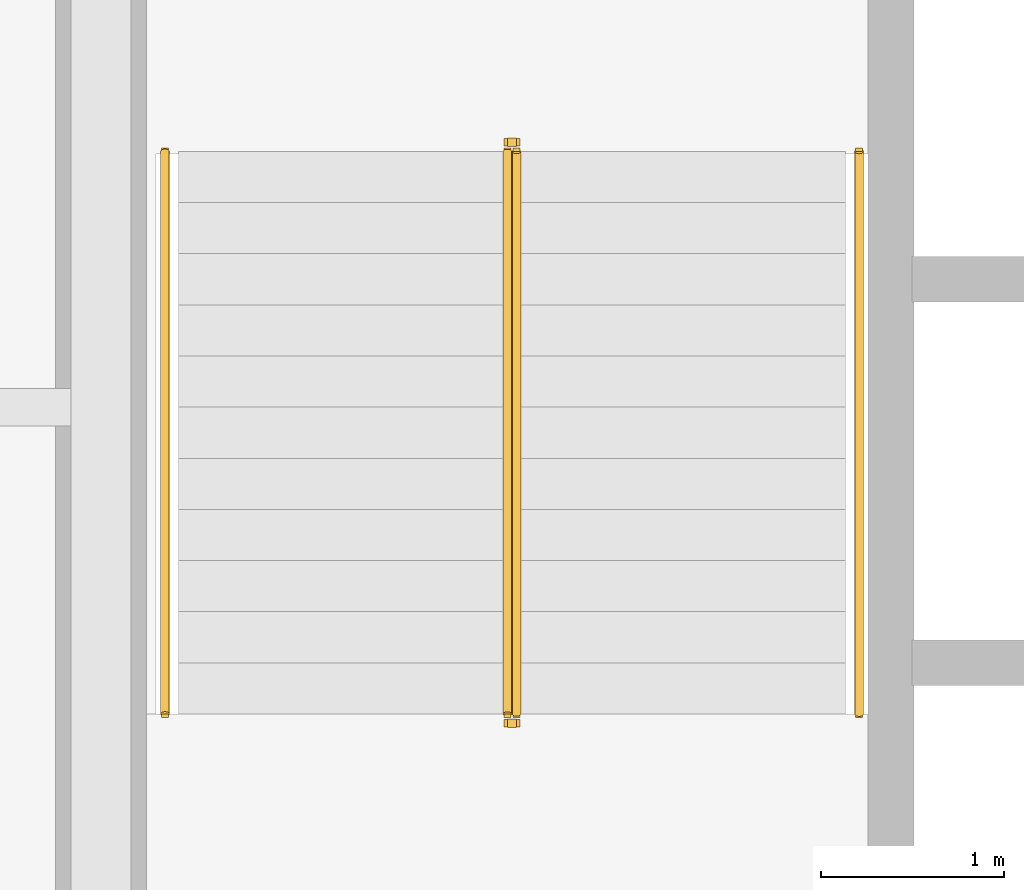
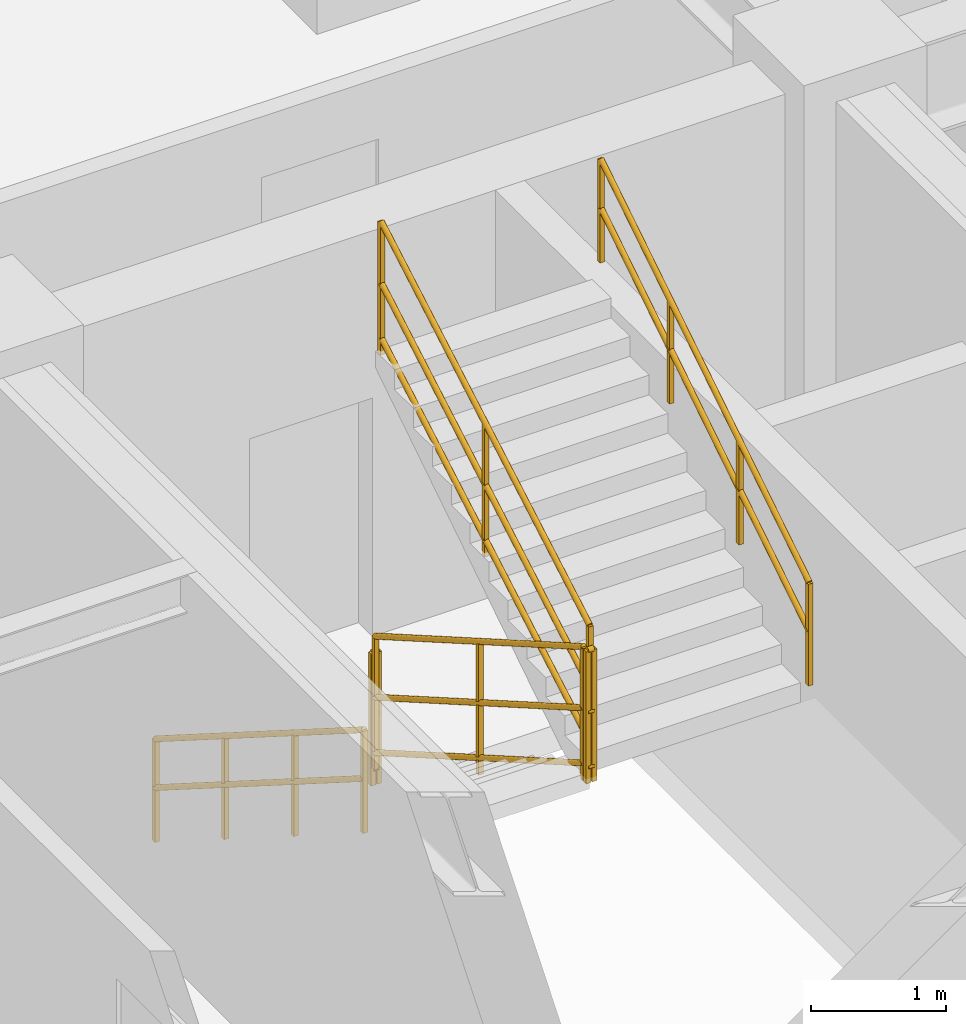
# One storey, part 9 of 9: 6 railings.
"""IFC4 building model written with IfcOpenShell, lengths in metres."""

import ifcopenshell
import ifcopenshell.guid

model = None  # the IFC model being written
_history = None  # IfcOwnerHistory: only IFC2X3 demands one
_inside = {}  # id of a spatial element -> (the spatial element, [elements in it])
_under = {}  # id of a project, library or spatial element -> (it, [spatial elements below it])
_declared = {}  # id of a project -> (the project, [libraries it declares])
_typed = {}  # id of a type object -> (the type object, [elements of that type])
_made_of = {}  # id of a material, layer set ... -> (it, [elements and type objects made of it])


def new_model(schema):
    """Start an empty IFC model of exactly this schema.

    Asked for "IFC4X3", IfcOpenShell would pick the latest addendum, in which some entities
    have other attributes; the version numbers below select the first issue.
    IFC2X3 requires an IfcOwnerHistory on every rooted entity: one is made here for all.
    """
    global model, _history
    if schema == "IFC4X3":
        model = ifcopenshell.file(schema_version=(4, 3, 0, 0))
    else:
        model = ifcopenshell.file(schema=schema)
    _inside.clear()
    _under.clear()
    _declared.clear()
    _typed.clear()
    _made_of.clear()
    _history = None
    if model.schema == "IFC2X3":
        org = make("IfcOrganization", Name="unknown")
        user = make(
            "IfcPersonAndOrganization",
            ThePerson=make("IfcPerson", FamilyName="unknown"),
            TheOrganization=org,
        )
        app = make(
            "IfcApplication",
            ApplicationDeveloper=org,
            Version="unknown",
            ApplicationFullName="unknown",
            ApplicationIdentifier="unknown",
        )
        _history = make(
            "IfcOwnerHistory",
            OwningUser=user,
            OwningApplication=app,
            ChangeAction="ADDED",
            CreationDate=0,
        )
    return model


def make(cls, **values):
    """One entity of the class cls with the attributes given. An attribute that is None is left unset."""
    return model.create_entity(
        cls, **{name: value for name, value in values.items() if value is not None}
    )


def entity(cls, *values):
    """Any entity or typed value of the class cls, its attributes in the order of the schema. None: left unset."""
    e = model.create_entity(cls)
    for i, value in enumerate(values):
        if value is not None:
            e[i] = value
    return e


def rooted(cls, **values):
    """An entity with a GlobalId (a new one), such as an element, a storey or a relation."""
    return make(cls, GlobalId=ifcopenshell.guid.new(), OwnerHistory=_history, **values)


def si_unit(unit_type, name, prefix=None):
    """IfcSIUnit, for example si_unit("LENGTHUNIT", "METRE", prefix="MILLI")."""
    return make("IfcSIUnit", UnitType=unit_type, Prefix=prefix, Name=name)


def converted_unit(unit_type, name, factor, base, dimensions=None, offset=None):
    """IfcConversionBasedUnit, such as the inch: factor (a typed value) times the base unit."""
    return make(
        "IfcConversionBasedUnit"
        if offset is None
        else "IfcConversionBasedUnitWithOffset",
        ConversionOffset=offset,
        Dimensions=None
        if dimensions is None
        else entity("IfcDimensionalExponents", *dimensions),
        UnitType=unit_type,
        Name=name,
        ConversionFactor=make(
            "IfcMeasureWithUnit", ValueComponent=factor, UnitComponent=base
        ),
    )


def assignment(units):
    """IfcUnitAssignment: the units of a project."""
    return None if units is None else make("IfcUnitAssignment", Units=units)


def point(xyz):
    """IfcCartesianPoint."""
    return None if xyz is None else make("IfcCartesianPoint", Coordinates=xyz)


def direction(xyz):
    """IfcDirection."""
    return None if xyz is None else make("IfcDirection", DirectionRatios=xyz)


def frame(location, z_axis=None, x_axis=None):
    """IfcAxis2Placement3D, a coordinate frame: its origin and axes. An axis left out is left unset."""
    return make(
        "IfcAxis2Placement3D",
        Location=point(location),
        Axis=direction(z_axis),
        RefDirection=direction(x_axis),
    )


def frame_2d(location, x_axis=None):
    """IfcAxis2Placement2D, a coordinate frame in the plane: its origin and x axis."""
    return make(
        "IfcAxis2Placement2D", Location=point(location), RefDirection=direction(x_axis)
    )


def origin_with_axes():
    """The frame at (0, 0, 0) with the z axis (0, 0, 1) and the x axis (1, 0, 0) written out."""
    return frame((0.0, 0.0, 0.0), z_axis=(0.0, 0.0, 1.0), x_axis=(1.0, 0.0, 0.0))


def origin_2d_with_axis():
    """The frame at (0, 0) in the plane with the x axis (1, 0) written out."""
    return frame_2d((0.0, 0.0), x_axis=(1.0, 0.0))


def place(relative_to, where):
    """IfcLocalPlacement: puts the frame where relative to a parent placement (None: the world)."""
    return make(
        "IfcLocalPlacement", PlacementRelTo=relative_to, RelativePlacement=where
    )


def context(
    kind, dimensions, precision=None, world=None, true_north=None, identifier=None
):
    """IfcGeometricRepresentationContext, for example the 3D "Model" context."""
    return make(
        "IfcGeometricRepresentationContext",
        ContextIdentifier=identifier,
        ContextType=kind,
        CoordinateSpaceDimension=dimensions,
        Precision=precision,
        WorldCoordinateSystem=world,
        TrueNorth=true_north,
    )


def subcontext(parent, identifier, kind, view, scale=None):
    """IfcGeometricRepresentationSubContext, for example "Body" below "Model"."""
    return make(
        "IfcGeometricRepresentationSubContext",
        ContextIdentifier=identifier,
        ContextType=kind,
        ParentContext=parent,
        TargetScale=scale,
        TargetView=view,
    )


def project(units=None, contexts=None):
    """IfcProject with its units and contexts."""
    return rooted(
        "IfcProject",
        Name="project",
        RepresentationContexts=contexts,
        UnitsInContext=assignment(units),
    )


def spatial(cls, under=None, at=None, **own):
    """A site, building, storey or space (cls), placed at a placement, below another one or the project."""
    s = rooted(cls, ObjectPlacement=at, **own)
    if under is not None:
        _under.setdefault(under.id(), (under, []))[1].append(s)
    return s


def profile(cls, at=None, kind="AREA", **sizes):
    """A parametric profile (cls). Its sizes go by their IFC names, for example OverallWidth=200.0."""
    return make(cls, ProfileType=kind, Position=at, **sizes)


def rectangle(**sizes):
    """IfcRectangleProfileDef."""
    return profile("IfcRectangleProfileDef", **sizes)


def circle(**sizes):
    """IfcCircleProfileDef."""
    return profile("IfcCircleProfileDef", **sizes)


def extrude(swept, where, along, depth):
    """IfcExtrudedAreaSolid: the profile swept, set in the frame where, extruded along a direction by depth."""
    return make(
        "IfcExtrudedAreaSolid",
        SweptArea=swept,
        Position=where,
        ExtrudedDirection=direction(along),
        Depth=depth,
    )


def shape(context_of_items, identifier, shape_type, items):
    """IfcShapeRepresentation: the items that make up one representation, for example the "Body"."""
    return make(
        "IfcShapeRepresentation",
        ContextOfItems=context_of_items,
        RepresentationIdentifier=identifier,
        RepresentationType=shape_type,
        Items=items,
    )


def material(Name=None, Category=None):
    """IfcMaterial."""
    return make("IfcMaterial", Name=Name, Category=Category)


def made_of(thing, what):
    """Note that an element or type object is made of a material, layer set ...; save() writes the relation."""
    if what is not None:
        _made_of.setdefault(what.id(), (what, []))[1].append(thing)
    return thing


def type_object(cls, material=None, **own):
    """A type object (cls), such as IfcWallType, which elements share."""
    return made_of(rooted(cls, **own), material)


def element(
    cls,
    number,
    at=None,
    inside=None,
    cuts=None,
    type_object=None,
    material=None,
    context=None,
    identifier="Body",
    shape_type=None,
    held_by="IfcProductDefinitionShape",
    body=None,
    shapes=None,
    **own,
):
    """One element of the class cls, such as IfcWall. Its Tag is "e" and its number.

    at: its placement. inside: the storey or other place that contains it. cuts: it is an
    opening in that element (IfcRelVoidsElement). A single representation is given by context,
    identifier, shape_type and body (its items); several are given by shapes. held_by: the class
    of the entity that holds the representations. save() writes the other relations.
    """
    e = rooted(cls, Tag="e%d" % number, ObjectPlacement=at, **own)
    if body is not None:
        shapes = [shape(context, identifier, shape_type, body)]
    if shapes is not None:
        e.Representation = make(held_by, Representations=shapes)
    if inside is not None:
        _inside.setdefault(inside.id(), (inside, []))[1].append(e)
    if cuts is not None:
        rooted(
            "IfcRelVoidsElement", RelatingBuildingElement=cuts, RelatedOpeningElement=e
        )
    if type_object is not None:
        _typed.setdefault(type_object.id(), (type_object, []))[1].append(e)
    return made_of(e, material)


def aggregate(whole, parts):
    """IfcRelAggregates: a whole, such as a stair, and the parts it consists of."""
    return rooted("IfcRelAggregates", RelatingObject=whole, RelatedObjects=parts)


def save(model, path):
    """Write the relations noted so far, then the file.

    IfcRelAggregates (storeys below a building ...), IfcRelContainedInSpatialStructure (elements
    in a storey), IfcRelDefinesByType, IfcRelAssociatesMaterial and IfcRelDeclares: one each for
    every whole, place, type object, material and project.
    """
    for whole, parts in _under.values():
        aggregate(whole, parts)
    for where, things in _inside.values():
        rooted(
            "IfcRelContainedInSpatialStructure",
            RelatedElements=things,
            RelatingStructure=where,
        )
    for kind, things in _typed.values():
        rooted("IfcRelDefinesByType", RelatedObjects=things, RelatingType=kind)
    for what, things in _made_of.values():
        rooted("IfcRelAssociatesMaterial", RelatedObjects=things, RelatingMaterial=what)
    for by, libraries in _declared.values():
        rooted("IfcRelDeclares", RelatingContext=by, RelatedDefinitions=libraries)
    model.write(path)


model = new_model("IFC4")

# Units and contexts
model_context = context("Model", 3, precision=1e-05, world=origin_with_axes(), true_north=direction((0.0, 1.0)))
body_context = subcontext(model_context, "Body", "Model", "MODEL_VIEW")
ifc_project = project(units=[si_unit("LENGTHUNIT", "METRE"), si_unit("AREAUNIT", "SQUARE_METRE"), si_unit("VOLUMEUNIT", "CUBIC_METRE"), converted_unit("PLANEANGLEUNIT", "DEGREE", entity("IfcPlaneAngleMeasure", 0.017453292519943295), si_unit("PLANEANGLEUNIT", "RADIAN"), dimensions=[0, 0, 0, 0, 0, 0, 0]), si_unit("MASSUNIT", "GRAM", prefix="KILO"), si_unit("THERMODYNAMICTEMPERATUREUNIT", "KELVIN")], contexts=[model_context])

# Site, building, storey
site_placement = place(None, origin_with_axes())
site = spatial("IfcSite", under=ifc_project, at=site_placement, CompositionType="ELEMENT")
building_placement = place(site_placement, origin_with_axes())
building = spatial("IfcBuilding", under=site, at=building_placement, Name="Varnlund Millrace Tower", CompositionType="ELEMENT")
storey_placement = place(building_placement, frame((0.0, 0.0, 164.1), z_axis=(0.0, 0.0, 1.0), x_axis=(1.0, 0.0, 0.0)))
storey = spatial("IfcBuildingStorey", under=building, at=storey_placement, Name="L40", CompositionType="ELEMENT", Elevation=164.1)

# Railings
ifc_material_1 = material(Name="Painted steel stair well balustrade guard", Category="steel")
railing_type_1 = type_object("IfcRailingType", Name="Type-StairGuard-1150", PredefinedType="GUARDRAIL", material=ifc_material_1)
railing_1_placement = place(storey_placement, frame((0.0, 0.0, -164.1), z_axis=(0.0, 0.0, 1.0), x_axis=(1.0, 0.0, 0.0)))
element("IfcRailing", 1, at=railing_1_placement, inside=storey, type_object=railing_type_1, Name="Type-StairGuard-1150", PredefinedType="GUARDRAIL", context=body_context, shape_type="SweptSolid", body=[
    extrude(circle(Radius=0.024, at=origin_2d_with_axis()), frame((13.625, 35.9, 165.427273), z_axis=(0.0, -0.866696, 0.498836), x_axis=(1.0, 0.0, 0.0)), (0.0, 0.0, 1.0), 3.553725),
    extrude(circle(Radius=0.024, at=origin_2d_with_axis()), frame((13.625, 35.9, 164.377273), z_axis=(0.0, -0.866696, 0.498836), x_axis=(1.0, 0.0, 0.0)), (0.0, 0.0, 1.0), 3.553725),
    extrude(circle(Radius=0.024, at=origin_2d_with_axis()), frame((13.625, 35.9, 164.875273), z_axis=(0.0, -0.866696, 0.498836), x_axis=(1.0, 0.0, 0.0)), (0.0, 0.0, 1.0), 3.553725),
    extrude(rectangle(XDim=0.04, YDim=0.04, at=origin_2d_with_axis()), frame((13.625, 35.9, 164.237273), z_axis=(0.0, 0.0, 1.0), x_axis=(1.0, 0.0, 0.0)), (0.0, 0.0, 1.0), 1.19),
    extrude(rectangle(XDim=0.04, YDim=0.04, at=origin_2d_with_axis()), frame((13.625, 34.36, 165.123636), z_axis=(0.0, 0.0, 1.0), x_axis=(1.0, 0.0, 0.0)), (0.0, 0.0, 1.0), 1.19),
    extrude(rectangle(XDim=0.04, YDim=0.04, at=origin_2d_with_axis()), frame((13.625, 32.82, 166.01), z_axis=(0.0, 0.0, 1.0), x_axis=(1.0, 0.0, 0.0)), (0.0, 0.0, 1.0), 1.19),
])
railing_2_placement = place(storey_placement, frame((0.0, 0.0, -164.1), z_axis=(0.0, 0.0, 1.0), x_axis=(1.0, 0.0, 0.0)))
element("IfcRailing", 2, at=railing_2_placement, inside=storey, type_object=railing_type_1, Name="Type-StairGuard-1150", PredefinedType="GUARDRAIL", context=body_context, shape_type="SweptSolid", body=[
    extrude(circle(Radius=0.024, at=origin_2d_with_axis()), frame((13.675, 32.77, 167.2), z_axis=(-1.0, 0.0, 0.0), x_axis=(0.0, -1.0, 0.0)), (0.0, 0.0, 1.0), 0.05),
    extrude(circle(Radius=0.024, at=origin_2d_with_axis()), frame((13.675, 32.77, 166.15), z_axis=(-1.0, 0.0, 0.0), x_axis=(0.0, -1.0, 0.0)), (0.0, 0.0, 1.0), 0.05),
    extrude(circle(Radius=0.024, at=origin_2d_with_axis()), frame((13.675, 32.77, 166.648), z_axis=(-1.0, 0.0, 0.0), x_axis=(0.0, -1.0, 0.0)), (0.0, 0.0, 1.0), 0.05),
    extrude(rectangle(XDim=0.04, YDim=0.04, at=origin_2d_with_axis()), frame((13.675, 32.77, 166.01), z_axis=(0.0, 0.0, 1.0), x_axis=(1.0, 0.0, 0.0)), (0.0, 0.0, 1.0), 1.19),
    extrude(rectangle(XDim=0.04, YDim=0.04, at=origin_2d_with_axis()), frame((13.625, 32.77, 166.01), z_axis=(0.0, 0.0, 1.0), x_axis=(1.0, 0.0, 0.0)), (0.0, 0.0, 1.0), 1.19),
])
railing_3_placement = place(storey_placement, frame((0.0, 0.0, -164.1), z_axis=(0.0, 0.0, 1.0), x_axis=(1.0, 0.0, 0.0)))
element("IfcRailing", 3, at=railing_3_placement, inside=storey, type_object=railing_type_1, Name="Type-StairGuard-1150", PredefinedType="GUARDRAIL", context=body_context, shape_type="SweptSolid", body=[
    extrude(circle(Radius=0.024, at=origin_2d_with_axis()), frame((13.675, 32.82, 167.377273), z_axis=(0.0, 0.866696, 0.498836), x_axis=(-1.0, 0.0, 0.0)), (0.0, 0.0, 1.0), 3.553725),
    extrude(circle(Radius=0.024, at=origin_2d_with_axis()), frame((13.675, 32.82, 166.327273), z_axis=(0.0, 0.866696, 0.498836), x_axis=(-1.0, 0.0, 0.0)), (0.0, 0.0, 1.0), 3.553725),
    extrude(circle(Radius=0.024, at=origin_2d_with_axis()), frame((13.675, 32.82, 166.825273), z_axis=(0.0, 0.866696, 0.498836), x_axis=(-1.0, 0.0, 0.0)), (0.0, 0.0, 1.0), 3.553725),
    extrude(rectangle(XDim=0.04, YDim=0.04, at=origin_2d_with_axis()), frame((13.675, 32.82, 166.187273), z_axis=(0.0, 0.0, 1.0), x_axis=(1.0, 0.0, 0.0)), (0.0, 0.0, 1.0), 1.19),
    extrude(rectangle(XDim=0.04, YDim=0.04, at=origin_2d_with_axis()), frame((13.675, 34.36, 167.073636), z_axis=(0.0, 0.0, 1.0), x_axis=(1.0, 0.0, 0.0)), (0.0, 0.0, 1.0), 1.19),
    extrude(rectangle(XDim=0.04, YDim=0.04, at=origin_2d_with_axis()), frame((13.675, 35.9, 167.96), z_axis=(0.0, 0.0, 1.0), x_axis=(1.0, 0.0, 0.0)), (0.0, 0.0, 1.0), 1.19),
])
railing_4_placement = place(storey_placement, frame((0.0, 0.0, -164.1), z_axis=(0.0, 0.0, 1.0), x_axis=(1.0, 0.0, 0.0)))
element("IfcRailing", 4, at=railing_4_placement, inside=storey, type_object=railing_type_1, Name="Type-StairGuard-1150", PredefinedType="GUARDRAIL", context=body_context, shape_type="SweptSolid", body=[
    extrude(circle(Radius=0.024, at=origin_2d_with_axis()), frame((13.675, 35.95, 165.25), z_axis=(-1.0, 0.0, 0.0), x_axis=(0.0, -1.0, 0.0)), (0.0, 0.0, 1.0), 0.05),
    extrude(circle(Radius=0.024, at=origin_2d_with_axis()), frame((13.675, 35.95, 164.2), z_axis=(-1.0, 0.0, 0.0), x_axis=(0.0, -1.0, 0.0)), (0.0, 0.0, 1.0), 0.05),
    extrude(circle(Radius=0.024, at=origin_2d_with_axis()), frame((13.675, 35.95, 164.698), z_axis=(-1.0, 0.0, 0.0), x_axis=(0.0, -1.0, 0.0)), (0.0, 0.0, 1.0), 0.05),
    extrude(rectangle(XDim=0.04, YDim=0.04, at=origin_2d_with_axis()), frame((13.675, 35.95, 164.06), z_axis=(0.0, 0.0, 1.0), x_axis=(1.0, 0.0, 0.0)), (0.0, 0.0, 1.0), 1.19),
    extrude(rectangle(XDim=0.04, YDim=0.04, at=origin_2d_with_axis()), frame((13.625, 35.95, 164.06), z_axis=(0.0, 0.0, 1.0), x_axis=(1.0, 0.0, 0.0)), (0.0, 0.0, 1.0), 1.19),
])
ifc_material_2 = material(Name="Brushed architectural bronze stair handrail", Category="aluminium")
railing_type_2 = type_object("IfcRailingType", Name="Type-StairHandrail-900", PredefinedType="HANDRAIL", material=ifc_material_2)
railing_5_placement = place(storey_placement, frame((0.0, 0.0, -164.1), z_axis=(0.0, 0.0, 1.0), x_axis=(1.0, 0.0, 0.0)))
element("IfcRailing", 5, at=railing_5_placement, inside=storey, type_object=railing_type_2, Name="Type-StairHandrail-900", PredefinedType="HANDRAIL", context=body_context, shape_type="SweptSolid", body=[
    extrude(circle(Radius=0.024, at=origin_2d_with_axis()), frame((11.75, 35.9, 165.156995), z_axis=(0.0, -0.844902, 0.534922), x_axis=(1.0, 0.0, 0.0)), (0.0, 0.0, 1.0), 3.645394),
    extrude(circle(Radius=0.024, at=origin_2d_with_axis()), frame((11.75, 35.9, 164.717134), z_axis=(0.0, -0.844902, 0.534922), x_axis=(1.0, 0.0, 0.0)), (0.0, 0.0, 1.0), 3.645394),
    extrude(rectangle(XDim=0.04, YDim=0.04, at=origin_2d_with_axis()), frame((11.75, 35.9, 164.237273), z_axis=(0.0, 0.0, 1.0), x_axis=(1.0, 0.0, 0.0)), (0.0, 0.0, 1.0), 0.919722),
    extrude(rectangle(XDim=0.04, YDim=0.04, at=origin_2d_with_axis()), frame((11.75, 34.873333, 164.887273), z_axis=(0.0, 0.0, 1.0), x_axis=(1.0, 0.0, 0.0)), (0.0, 0.0, 1.0), 0.919722),
    extrude(rectangle(XDim=0.04, YDim=0.04, at=origin_2d_with_axis()), frame((11.75, 33.846667, 165.537273), z_axis=(0.0, 0.0, 1.0), x_axis=(1.0, 0.0, 0.0)), (0.0, 0.0, 1.0), 0.919722),
    extrude(rectangle(XDim=0.04, YDim=0.04, at=origin_2d_with_axis()), frame((11.75, 32.82, 166.187273), z_axis=(0.0, 0.0, 1.0), x_axis=(1.0, 0.0, 0.0)), (0.0, 0.0, 1.0), 0.919722),
])
railing_6_placement = place(storey_placement, frame((0.0, 0.0, -164.1), z_axis=(0.0, 0.0, 1.0), x_axis=(1.0, 0.0, 0.0)))
element("IfcRailing", 6, at=railing_6_placement, inside=storey, type_object=railing_type_2, Name="Type-StairHandrail-900", PredefinedType="HANDRAIL", context=body_context, shape_type="SweptSolid", body=[
    extrude(circle(Radius=0.024, at=origin_2d_with_axis()), frame((15.55, 32.82, 167.106995), z_axis=(0.0, 0.844902, 0.534922), x_axis=(-1.0, 0.0, 0.0)), (0.0, 0.0, 1.0), 3.645394),
    extrude(circle(Radius=0.024, at=origin_2d_with_axis()), frame((15.55, 32.82, 166.667134), z_axis=(0.0, 0.844902, 0.534922), x_axis=(-1.0, 0.0, 0.0)), (0.0, 0.0, 1.0), 3.645394),
    extrude(rectangle(XDim=0.04, YDim=0.04, at=origin_2d_with_axis()), frame((15.55, 32.82, 166.187273), z_axis=(0.0, 0.0, 1.0), x_axis=(1.0, 0.0, 0.0)), (0.0, 0.0, 1.0), 0.919722),
    extrude(rectangle(XDim=0.04, YDim=0.04, at=origin_2d_with_axis()), frame((15.55, 33.846667, 166.837273), z_axis=(0.0, 0.0, 1.0), x_axis=(1.0, 0.0, 0.0)), (0.0, 0.0, 1.0), 0.919722),
    extrude(rectangle(XDim=0.04, YDim=0.04, at=origin_2d_with_axis()), frame((15.55, 34.873333, 167.487273), z_axis=(0.0, 0.0, 1.0), x_axis=(1.0, 0.0, 0.0)), (0.0, 0.0, 1.0), 0.919722),
    extrude(rectangle(XDim=0.04, YDim=0.04, at=origin_2d_with_axis()), frame((15.55, 35.9, 168.137273), z_axis=(0.0, 0.0, 1.0), x_axis=(1.0, 0.0, 0.0)), (0.0, 0.0, 1.0), 0.919722),
])

save(model, "model.ifc")
